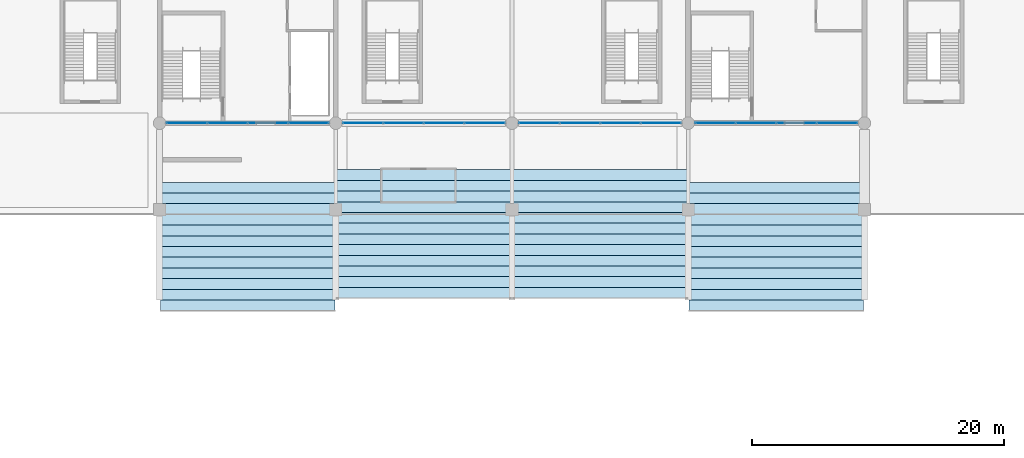
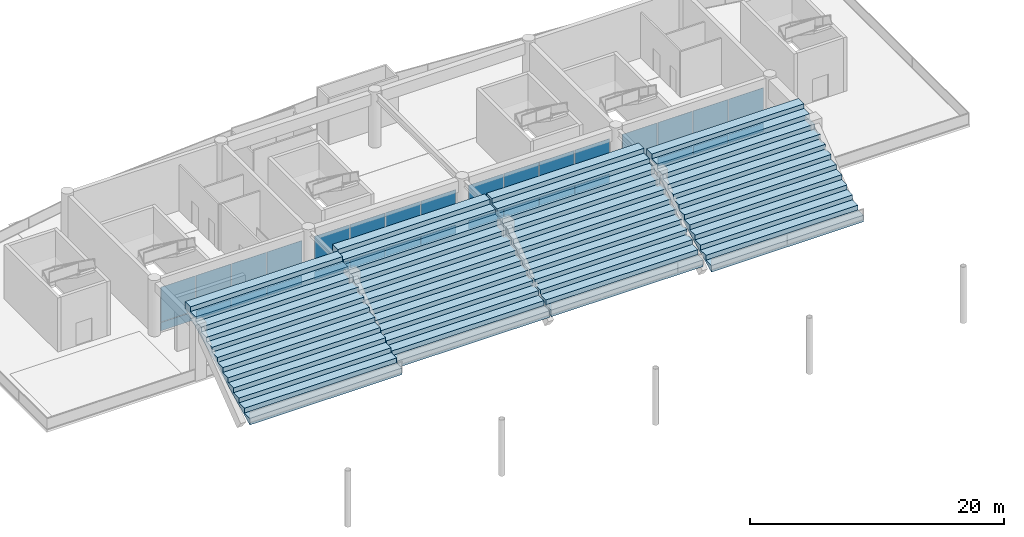
# One storey, part 77 of 117: 32 plates, 4 slabs, 4 elements without a shape of their own.
"""IFC4 building model written with IfcOpenShell, lengths in metres."""

from ifc_helpers import new_model, si_unit, direction, frame, origin, origin_2d, place, context, subcontext, project, spatial, polyline, rectangle, outline, extrude, material, layer, layer_set, type_object, element, aggregate, save


model = new_model("IFC4")

# Units and contexts
model_context = context("Model", 3, precision=1e-05, world=origin(), true_north=direction((0.0, 1.0)))
body_context = subcontext(model_context, "Body", "Model", "MODEL_VIEW")
ifc_project = project(units=[si_unit("LENGTHUNIT", "METRE"), si_unit("AREAUNIT", "SQUARE_METRE"), si_unit("VOLUMEUNIT", "CUBIC_METRE"), si_unit("PLANEANGLEUNIT", "RADIAN"), si_unit("MASSUNIT", "GRAM", prefix="KILO")], contexts=[model_context])

# Site, building, storey
site_placement = place(None, origin())
site = spatial("IfcSite", under=ifc_project, at=site_placement, CompositionType="ELEMENT")
building_placement = place(site_placement, origin())
building = spatial("IfcBuilding", under=site, at=building_placement, Name="Linyun Crest Stadium", CompositionType="ELEMENT")
storey_placement = place(building_placement, frame((0.0, 0.0, 6.0)))
storey = spatial("IfcBuildingStorey", under=building, at=storey_placement, Name="L02", CompositionType="ELEMENT", Elevation=6.0)

# Curtain wall, plates
ifc_material_1 = material(Name="Verdigris steel and low-E curtain wall assembly", Category="steel")
curtain_wall_type = type_object("IfcCurtainWallType", Name="MCW03", PredefinedType="NOTDEFINED", material=ifc_material_1)
curtain_wall_1_placement = place(storey_placement, origin())
curtain_wall_1 = element("IfcCurtainWall", 1, at=curtain_wall_1_placement, inside=storey, type_object=curtain_wall_type, Name="CWR-127", PredefinedType="NOTDEFINED")
ifc_material_2 = material(Name="Double silver low-E insulated glass", Category="glass")
ifc_layer_1 = layer(ifc_material_2, 0.02587890625)
ifc_layer_set_1 = layer_set([ifc_layer_1], Name="Double silver low-E insulated glass")
plate_type_1 = type_object("IfcPlateType", Name="GP01", PredefinedType="CURTAIN_PANEL", material=ifc_layer_set_1)
plate_1_placement = place(storey_placement, frame((-25.837890625, 91.5, 0.875), z_axis=(0.0, 0.0, 1.0), x_axis=(1.0, 0.0, 0.0)))
plate_1 = element("IfcPlate", 2, at=plate_1_placement, type_object=plate_type_1, Name="CWR-127 panel 1.2", PredefinedType="CURTAIN_PANEL", context=body_context, shape_type="SweptSolid", body=[
    extrude(rectangle(XDim=3.175048828125, YDim=0.02587890625, at=origin_2d()), origin(), (0.0, 0.0, 1.0), 3.35009765625),
])
plate_2_placement = place(storey_placement, frame((-22.612060546875, 91.5, 0.875), z_axis=(0.0, 0.0, 1.0), x_axis=(1.0, 0.0, 0.0)))
plate_2 = element("IfcPlate", 3, at=plate_2_placement, type_object=plate_type_1, Name="CWR-127 panel 2.2", PredefinedType="CURTAIN_PANEL", context=body_context, shape_type="SweptSolid", body=[
    extrude(rectangle(XDim=3.175048828125, YDim=0.02587890625, at=origin_2d()), origin(), (0.0, 0.0, 1.0), 3.35009765625),
])
plate_3_placement = place(storey_placement, frame((-19.387939453125, 91.5, 0.875), z_axis=(0.0, 0.0, 1.0), x_axis=(1.0, 0.0, 0.0)))
plate_3 = element("IfcPlate", 4, at=plate_3_placement, type_object=plate_type_1, Name="CWR-127 panel 3.2", PredefinedType="CURTAIN_PANEL", context=body_context, shape_type="SweptSolid", body=[
    extrude(rectangle(XDim=3.175048828125, YDim=0.02587890625, at=origin_2d()), origin(), (0.0, 0.0, 1.0), 3.35009765625),
])
plate_4_placement = place(storey_placement, frame((-16.1630859375, 91.5, 0.875), z_axis=(0.0, 0.0, 1.0), x_axis=(1.0, 0.0, 0.0)))
plate_4 = element("IfcPlate", 5, at=plate_4_placement, type_object=plate_type_1, Name="CWR-127 panel 4.2", PredefinedType="CURTAIN_PANEL", context=body_context, shape_type="SweptSolid", body=[
    extrude(rectangle(XDim=3.175048828125, YDim=0.02587890625, at=origin_2d()), origin(), (0.0, 0.0, 1.0), 3.35009765625),
])

curtain_wall_2_placement = place(storey_placement, origin())
curtain_wall_2 = element("IfcCurtainWall", 6, at=curtain_wall_2_placement, inside=storey, type_object=curtain_wall_type, Name="CWR-134", PredefinedType="NOTDEFINED")
plate_5_placement = place(storey_placement, frame((-11.8369140625, 91.5, 0.875), z_axis=(0.0, 0.0, 1.0), x_axis=(1.0, 0.0, 0.0)))
plate_5 = element("IfcPlate", 7, at=plate_5_placement, type_object=plate_type_1, Name="CWR-134 panel 1.2", PredefinedType="CURTAIN_PANEL", context=body_context, shape_type="SweptSolid", body=[
    extrude(rectangle(XDim=3.175048828125, YDim=0.02587890625, at=origin_2d()), origin(), (0.0, 0.0, 1.0), 3.35009765625),
])
plate_6_placement = place(storey_placement, frame((-8.612060546875, 91.5, 0.875), z_axis=(0.0, 0.0, 1.0), x_axis=(1.0, 0.0, 0.0)))
plate_6 = element("IfcPlate", 8, at=plate_6_placement, type_object=plate_type_1, Name="CWR-134 panel 2.2", PredefinedType="CURTAIN_PANEL", context=body_context, shape_type="SweptSolid", body=[
    extrude(rectangle(XDim=3.175048828125, YDim=0.02587890625, at=origin_2d()), origin(), (0.0, 0.0, 1.0), 3.35009765625),
])
plate_7_placement = place(storey_placement, frame((-5.386962890625, 91.5, 0.875), z_axis=(0.0, 0.0, 1.0), x_axis=(1.0, 0.0, 0.0)))
plate_7 = element("IfcPlate", 9, at=plate_7_placement, type_object=plate_type_1, Name="CWR-134 panel 3.2", PredefinedType="CURTAIN_PANEL", context=body_context, shape_type="SweptSolid", body=[
    extrude(rectangle(XDim=3.175048828125, YDim=0.02587890625, at=origin_2d()), origin(), (0.0, 0.0, 1.0), 3.35009765625),
])
plate_8_placement = place(storey_placement, frame((-2.1630859375, 91.5, 0.875), z_axis=(0.0, 0.0, 1.0), x_axis=(1.0, 0.0, 0.0)))
plate_8 = element("IfcPlate", 10, at=plate_8_placement, type_object=plate_type_1, Name="CWR-134 panel 4.2", PredefinedType="CURTAIN_PANEL", context=body_context, shape_type="SweptSolid", body=[
    extrude(rectangle(XDim=3.175048828125, YDim=0.02587890625, at=origin_2d()), origin(), (0.0, 0.0, 1.0), 3.35009765625),
])

curtain_wall_3_placement = place(storey_placement, origin())
curtain_wall_3 = element("IfcCurtainWall", 11, at=curtain_wall_3_placement, inside=storey, type_object=curtain_wall_type, Name="CWR-141", PredefinedType="NOTDEFINED")
plate_9_placement = place(storey_placement, frame((2.162109375, 91.5, 0.875), z_axis=(0.0, 0.0, 1.0), x_axis=(1.0, 0.0, 0.0)))
plate_9 = element("IfcPlate", 12, at=plate_9_placement, type_object=plate_type_1, Name="CWR-141 panel 1.2", PredefinedType="CURTAIN_PANEL", context=body_context, shape_type="SweptSolid", body=[
    extrude(rectangle(XDim=3.175048828125, YDim=0.02587890625, at=origin_2d()), origin(), (0.0, 0.0, 1.0), 3.35009765625),
])
plate_10_placement = place(storey_placement, frame((5.386962890625, 91.5, 0.875), z_axis=(0.0, 0.0, 1.0), x_axis=(1.0, 0.0, 0.0)))
plate_10 = element("IfcPlate", 13, at=plate_10_placement, type_object=plate_type_1, Name="CWR-141 panel 2.2", PredefinedType="CURTAIN_PANEL", context=body_context, shape_type="SweptSolid", body=[
    extrude(rectangle(XDim=3.175048828125, YDim=0.02587890625, at=origin_2d()), origin(), (0.0, 0.0, 1.0), 3.35009765625),
])
plate_11_placement = place(storey_placement, frame((8.612060546875, 91.5, 0.875), z_axis=(0.0, 0.0, 1.0), x_axis=(1.0, 0.0, 0.0)))
plate_11 = element("IfcPlate", 14, at=plate_11_placement, type_object=plate_type_1, Name="CWR-141 panel 3.2", PredefinedType="CURTAIN_PANEL", context=body_context, shape_type="SweptSolid", body=[
    extrude(rectangle(XDim=3.175048828125, YDim=0.02587890625, at=origin_2d()), origin(), (0.0, 0.0, 1.0), 3.35009765625),
])
plate_12_placement = place(storey_placement, frame((11.8369140625, 91.5, 0.875), z_axis=(0.0, 0.0, 1.0), x_axis=(1.0, 0.0, 0.0)))
plate_12 = element("IfcPlate", 15, at=plate_12_placement, type_object=plate_type_1, Name="CWR-141 panel 4.2", PredefinedType="CURTAIN_PANEL", context=body_context, shape_type="SweptSolid", body=[
    extrude(rectangle(XDim=3.175048828125, YDim=0.02587890625, at=origin_2d()), origin(), (0.0, 0.0, 1.0), 3.35009765625),
])

curtain_wall_4_placement = place(storey_placement, origin())
curtain_wall_4 = element("IfcCurtainWall", 16, at=curtain_wall_4_placement, inside=storey, type_object=curtain_wall_type, Name="CWR-148", PredefinedType="NOTDEFINED")
plate_13_placement = place(storey_placement, frame((16.1630859375, 91.5, 0.875), z_axis=(0.0, 0.0, 1.0), x_axis=(1.0, 0.0, 0.0)))
plate_13 = element("IfcPlate", 17, at=plate_13_placement, type_object=plate_type_1, Name="CWR-148 panel 1.2", PredefinedType="CURTAIN_PANEL", context=body_context, shape_type="SweptSolid", body=[
    extrude(rectangle(XDim=3.175048828125, YDim=0.02587890625, at=origin_2d()), origin(), (0.0, 0.0, 1.0), 3.35009765625),
])
plate_14_placement = place(storey_placement, frame((19.387939453125, 91.5, 0.875), z_axis=(0.0, 0.0, 1.0), x_axis=(1.0, 0.0, 0.0)))
plate_14 = element("IfcPlate", 18, at=plate_14_placement, type_object=plate_type_1, Name="CWR-148 panel 2.2", PredefinedType="CURTAIN_PANEL", context=body_context, shape_type="SweptSolid", body=[
    extrude(rectangle(XDim=3.175048828125, YDim=0.02587890625, at=origin_2d()), origin(), (0.0, 0.0, 1.0), 3.35009765625),
])
plate_15_placement = place(storey_placement, frame((22.612060546875, 91.5, 0.875), z_axis=(0.0, 0.0, 1.0), x_axis=(1.0, 0.0, 0.0)))
plate_15 = element("IfcPlate", 19, at=plate_15_placement, type_object=plate_type_1, Name="CWR-148 panel 3.2", PredefinedType="CURTAIN_PANEL", context=body_context, shape_type="SweptSolid", body=[
    extrude(rectangle(XDim=3.175048828125, YDim=0.02587890625, at=origin_2d()), origin(), (0.0, 0.0, 1.0), 3.35009765625),
])
plate_16_placement = place(storey_placement, frame((25.837890625, 91.5, 0.875), z_axis=(0.0, 0.0, 1.0), x_axis=(1.0, 0.0, 0.0)))
plate_16 = element("IfcPlate", 20, at=plate_16_placement, type_object=plate_type_1, Name="CWR-148 panel 4.2", PredefinedType="CURTAIN_PANEL", context=body_context, shape_type="SweptSolid", body=[
    extrude(rectangle(XDim=3.175048828125, YDim=0.02587890625, at=origin_2d()), origin(), (0.0, 0.0, 1.0), 3.35009765625),
])

# Plate
ifc_material_3 = material(Name="Celadon glazed ceramic faience insulated spandrel")
ifc_layer_2 = layer(ifc_material_3, 0.0419921875)
ifc_layer_set_2 = layer_set([ifc_layer_2], Name="Celadon glazed ceramic faience insulated spandrel")
plate_type_2 = type_object("IfcPlateType", Name="SP01", PredefinedType="SHEET", material=ifc_layer_set_2)
plate_17_placement = place(storey_placement, frame((-25.837890625, 91.5, 0.02490234375), z_axis=(0.0, 0.0, 1.0), x_axis=(1.0, 0.0, 0.0)))
plate_17 = element("IfcPlate", 21, at=plate_17_placement, type_object=plate_type_2, Name="CWR-127 panel 1.1", PredefinedType="SHEET", context=body_context, shape_type="SweptSolid", body=[
    extrude(rectangle(XDim=3.175048828125, YDim=0.0419921875, at=origin_2d()), origin(), (0.0, 0.0, 1.0), 0.800048828125),
])

plate_18_placement = place(storey_placement, frame((-22.612060546875, 91.5, 0.02490234375), z_axis=(0.0, 0.0, 1.0), x_axis=(1.0, 0.0, 0.0)))
plate_18 = element("IfcPlate", 22, at=plate_18_placement, type_object=plate_type_2, Name="CWR-127 panel 2.1", PredefinedType="SHEET", context=body_context, shape_type="SweptSolid", body=[
    extrude(rectangle(XDim=3.175048828125, YDim=0.0419921875, at=origin_2d()), origin(), (0.0, 0.0, 1.0), 0.800048828125),
])

plate_19_placement = place(storey_placement, frame((-19.387939453125, 91.5, 0.02490234375), z_axis=(0.0, 0.0, 1.0), x_axis=(1.0, 0.0, 0.0)))
plate_19 = element("IfcPlate", 23, at=plate_19_placement, type_object=plate_type_2, Name="CWR-127 panel 3.1", PredefinedType="SHEET", context=body_context, shape_type="SweptSolid", body=[
    extrude(rectangle(XDim=3.175048828125, YDim=0.0419921875, at=origin_2d()), origin(), (0.0, 0.0, 1.0), 0.800048828125),
])

plate_20_placement = place(storey_placement, frame((-16.1630859375, 91.5, 0.02490234375), z_axis=(0.0, 0.0, 1.0), x_axis=(1.0, 0.0, 0.0)))
plate_20 = element("IfcPlate", 24, at=plate_20_placement, type_object=plate_type_2, Name="CWR-127 panel 4.1", PredefinedType="SHEET", context=body_context, shape_type="SweptSolid", body=[
    extrude(rectangle(XDim=3.175048828125, YDim=0.0419921875, at=origin_2d()), origin(), (0.0, 0.0, 1.0), 0.800048828125),
])

aggregate(curtain_wall_1, [plate_17, plate_1, plate_18, plate_2, plate_19, plate_3, plate_20, plate_4])

plate_21_placement = place(storey_placement, frame((-11.8369140625, 91.5, 0.02490234375), z_axis=(0.0, 0.0, 1.0), x_axis=(1.0, 0.0, 0.0)))
plate_21 = element("IfcPlate", 25, at=plate_21_placement, type_object=plate_type_2, Name="CWR-134 panel 1.1", PredefinedType="SHEET", context=body_context, shape_type="SweptSolid", body=[
    extrude(rectangle(XDim=3.175048828125, YDim=0.0419921875, at=origin_2d()), origin(), (0.0, 0.0, 1.0), 0.800048828125),
])

plate_22_placement = place(storey_placement, frame((-8.612060546875, 91.5, 0.02490234375), z_axis=(0.0, 0.0, 1.0), x_axis=(1.0, 0.0, 0.0)))
plate_22 = element("IfcPlate", 26, at=plate_22_placement, type_object=plate_type_2, Name="CWR-134 panel 2.1", PredefinedType="SHEET", context=body_context, shape_type="SweptSolid", body=[
    extrude(rectangle(XDim=3.175048828125, YDim=0.0419921875, at=origin_2d()), origin(), (0.0, 0.0, 1.0), 0.800048828125),
])

plate_23_placement = place(storey_placement, frame((-5.386962890625, 91.5, 0.02490234375), z_axis=(0.0, 0.0, 1.0), x_axis=(1.0, 0.0, 0.0)))
plate_23 = element("IfcPlate", 27, at=plate_23_placement, type_object=plate_type_2, Name="CWR-134 panel 3.1", PredefinedType="SHEET", context=body_context, shape_type="SweptSolid", body=[
    extrude(rectangle(XDim=3.175048828125, YDim=0.0419921875, at=origin_2d()), origin(), (0.0, 0.0, 1.0), 0.800048828125),
])

plate_24_placement = place(storey_placement, frame((-2.1630859375, 91.5, 0.02490234375), z_axis=(0.0, 0.0, 1.0), x_axis=(1.0, 0.0, 0.0)))
plate_24 = element("IfcPlate", 28, at=plate_24_placement, type_object=plate_type_2, Name="CWR-134 panel 4.1", PredefinedType="SHEET", context=body_context, shape_type="SweptSolid", body=[
    extrude(rectangle(XDim=3.175048828125, YDim=0.0419921875, at=origin_2d()), origin(), (0.0, 0.0, 1.0), 0.800048828125),
])

aggregate(curtain_wall_2, [plate_21, plate_5, plate_22, plate_6, plate_23, plate_7, plate_24, plate_8])

plate_25_placement = place(storey_placement, frame((2.162109375, 91.5, 0.02490234375), z_axis=(0.0, 0.0, 1.0), x_axis=(1.0, 0.0, 0.0)))
plate_25 = element("IfcPlate", 29, at=plate_25_placement, type_object=plate_type_2, Name="CWR-141 panel 1.1", PredefinedType="SHEET", context=body_context, shape_type="SweptSolid", body=[
    extrude(rectangle(XDim=3.175048828125, YDim=0.0419921875, at=origin_2d()), origin(), (0.0, 0.0, 1.0), 0.800048828125),
])

plate_26_placement = place(storey_placement, frame((5.386962890625, 91.5, 0.02490234375), z_axis=(0.0, 0.0, 1.0), x_axis=(1.0, 0.0, 0.0)))
plate_26 = element("IfcPlate", 30, at=plate_26_placement, type_object=plate_type_2, Name="CWR-141 panel 2.1", PredefinedType="SHEET", context=body_context, shape_type="SweptSolid", body=[
    extrude(rectangle(XDim=3.175048828125, YDim=0.0419921875, at=origin_2d()), origin(), (0.0, 0.0, 1.0), 0.800048828125),
])

plate_27_placement = place(storey_placement, frame((8.612060546875, 91.5, 0.02490234375), z_axis=(0.0, 0.0, 1.0), x_axis=(1.0, 0.0, 0.0)))
plate_27 = element("IfcPlate", 31, at=plate_27_placement, type_object=plate_type_2, Name="CWR-141 panel 3.1", PredefinedType="SHEET", context=body_context, shape_type="SweptSolid", body=[
    extrude(rectangle(XDim=3.175048828125, YDim=0.0419921875, at=origin_2d()), origin(), (0.0, 0.0, 1.0), 0.800048828125),
])

plate_28_placement = place(storey_placement, frame((11.8369140625, 91.5, 0.02490234375), z_axis=(0.0, 0.0, 1.0), x_axis=(1.0, 0.0, 0.0)))
plate_28 = element("IfcPlate", 32, at=plate_28_placement, type_object=plate_type_2, Name="CWR-141 panel 4.1", PredefinedType="SHEET", context=body_context, shape_type="SweptSolid", body=[
    extrude(rectangle(XDim=3.175048828125, YDim=0.0419921875, at=origin_2d()), origin(), (0.0, 0.0, 1.0), 0.800048828125),
])

aggregate(curtain_wall_3, [plate_25, plate_9, plate_26, plate_10, plate_27, plate_11, plate_28, plate_12])

plate_29_placement = place(storey_placement, frame((16.1630859375, 91.5, 0.02490234375), z_axis=(0.0, 0.0, 1.0), x_axis=(1.0, 0.0, 0.0)))
plate_29 = element("IfcPlate", 33, at=plate_29_placement, type_object=plate_type_2, Name="CWR-148 panel 1.1", PredefinedType="SHEET", context=body_context, shape_type="SweptSolid", body=[
    extrude(rectangle(XDim=3.175048828125, YDim=0.0419921875, at=origin_2d()), origin(), (0.0, 0.0, 1.0), 0.800048828125),
])

plate_30_placement = place(storey_placement, frame((19.387939453125, 91.5, 0.02490234375), z_axis=(0.0, 0.0, 1.0), x_axis=(1.0, 0.0, 0.0)))
plate_30 = element("IfcPlate", 34, at=plate_30_placement, type_object=plate_type_2, Name="CWR-148 panel 2.1", PredefinedType="SHEET", context=body_context, shape_type="SweptSolid", body=[
    extrude(rectangle(XDim=3.175048828125, YDim=0.0419921875, at=origin_2d()), origin(), (0.0, 0.0, 1.0), 0.800048828125),
])

plate_31_placement = place(storey_placement, frame((22.612060546875, 91.5, 0.02490234375), z_axis=(0.0, 0.0, 1.0), x_axis=(1.0, 0.0, 0.0)))
plate_31 = element("IfcPlate", 35, at=plate_31_placement, type_object=plate_type_2, Name="CWR-148 panel 3.1", PredefinedType="SHEET", context=body_context, shape_type="SweptSolid", body=[
    extrude(rectangle(XDim=3.175048828125, YDim=0.0419921875, at=origin_2d()), origin(), (0.0, 0.0, 1.0), 0.800048828125),
])

plate_32_placement = place(storey_placement, frame((25.837890625, 91.5, 0.02490234375), z_axis=(0.0, 0.0, 1.0), x_axis=(1.0, 0.0, 0.0)))
plate_32 = element("IfcPlate", 36, at=plate_32_placement, type_object=plate_type_2, Name="CWR-148 panel 4.1", PredefinedType="SHEET", context=body_context, shape_type="SweptSolid", body=[
    extrude(rectangle(XDim=3.175048828125, YDim=0.0419921875, at=origin_2d()), origin(), (0.0, 0.0, 1.0), 0.800048828125),
])

aggregate(curtain_wall_4, [plate_29, plate_13, plate_30, plate_14, plate_31, plate_15, plate_32, plate_16])

# Slabs
ifc_material_4 = material(Name="Precast concrete C50", Category="concrete")
ifc_layer_3 = layer(ifc_material_4, 0.179931640625)
ifc_layer_set_3 = layer_set([ifc_layer_3], Name="Precast concrete C50")
slab_type = type_object("IfcSlabType", Name="ST02", PredefinedType="USERDEFINED", material=ifc_layer_set_3)
for number, where, z_axis, x_axis, name in (
    (37, (-27.919921875, 76.60009765625, 0.35009765625), (0.0, 0.0, 1.0), (0.0, 1.0, 0.0), "Precast seating tier ST02 V3 58"),
    (38, (-13.919921875, 77.60009765625, 0.35009765625), (0.0, 0.0, 1.0), (0.0, 1.0, 0.0), "Precast seating tier ST02 V3 65"),
    (39, (0.080078125, 77.60009765625, 0.35009765625), (0.0, 0.0, 1.0), (0.0, 1.0, 0.0), "Precast seating tier ST02 V3 72"),
    (40, (14.080078125, 76.60009765625, 0.35009765625), (0.0, 0.0, 1.0), (0.0, 1.0, 0.0), "Precast seating tier ST02 V3 79"),
):
    element("IfcSlab", number, at=place(storey_placement, frame(where, z_axis=z_axis, x_axis=x_axis)), inside=storey, type_object=slab_type, Name=name, ObjectType="SEATING TIER", PredefinedType="USERDEFINED", context=body_context, shape_type="SweptSolid", body=[
        extrude(outline(polyline([(0.0, 0.0), (0.0, 0.4599609375), (0.85009765625, 0.4599609375), (0.85009765625, 0.919921875), (1.699951171875, 0.919921875), (1.699951171875, 1.3798828125), (2.550048828125, 1.3798828125), (2.550048828125, 1.840087890625), (3.39990234375, 1.840087890625), (3.39990234375, 2.300048828125), (4.25, 2.300048828125), (4.25, 2.760009765625), (5.10009765625, 2.760009765625), (5.10009765625, 3.219970703125), (5.949951171875, 3.219970703125), (5.949951171875, 3.679931640625), (6.800048828125, 3.679931640625), (6.800048828125, 4.139892578125), (7.64990234375, 4.139892578125), (7.64990234375, 4.60009765625), (8.5, 4.60009765625), (8.5, 5.06005859375), (9.35009765625, 5.06005859375), (9.35009765625, 5.52001953125), (10.199951171875, 5.52001953125), (10.199951171875, 4.8798828125), (0.0, -0.179931640625), (0.0, 0.0)])), frame((0.0, 0.0, 0.0), z_axis=(0.0, -1.0, 0.0), x_axis=(1.0, 0.0, 0.0)), (0.0, 0.0, 1.0), 13.83984375),
    ])

save(model, "model.ifc")
